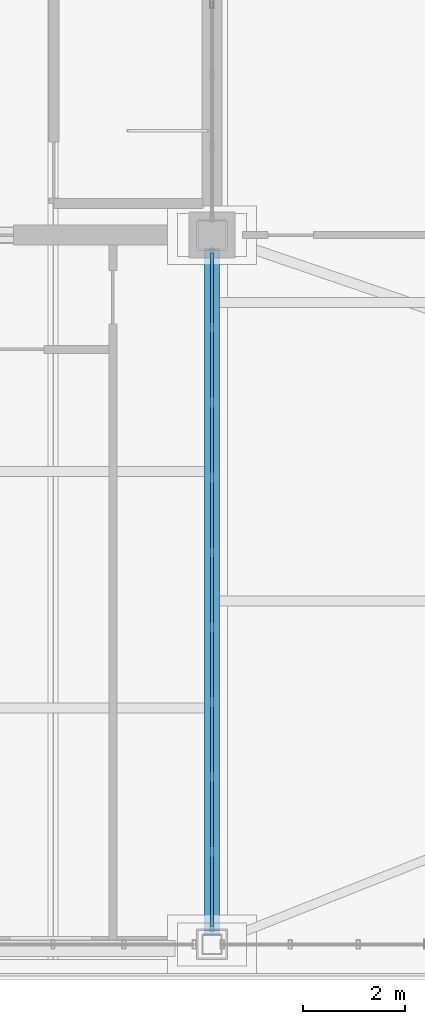
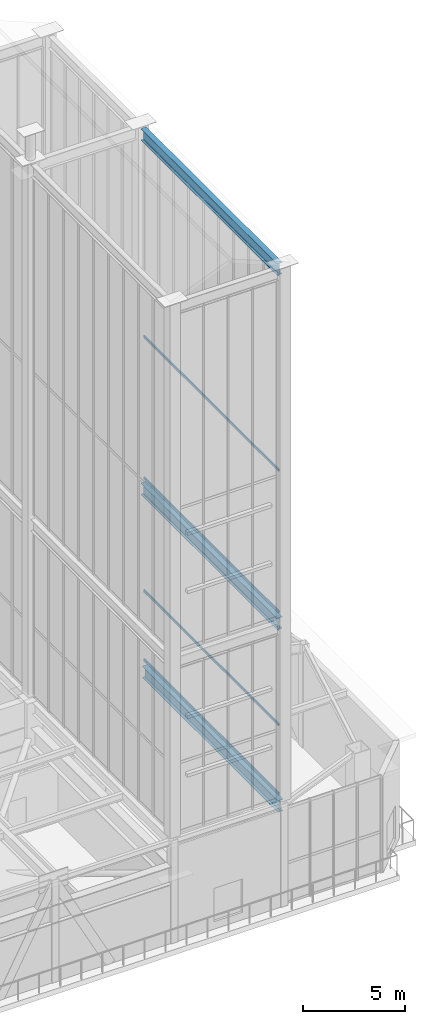
# One storey, part 60 of 135: 6 members, 3 beams, 2 elements without a shape of their own.
"""IFC4 building model written with IfcOpenShell, lengths in metres."""

from ifc_helpers import new_model, si_unit, direction, frame, origin, origin_2d, place, context, subcontext, project, spatial, hollow_rectangle, i_section, extrude, source, transform, mapped, material, layer, layer_set, material_profile, profile_set, type_object, element, aggregate, save


model = new_model("IFC4")

# Units and contexts
model_context = context("Model", 3, precision=1e-05, world=origin(), true_north=direction((0.0, 1.0)))
body_context = subcontext(model_context, "Body", "Model", "MODEL_VIEW")
ifc_project = project(units=[si_unit("LENGTHUNIT", "METRE"), si_unit("AREAUNIT", "SQUARE_METRE"), si_unit("VOLUMEUNIT", "CUBIC_METRE"), si_unit("PLANEANGLEUNIT", "RADIAN"), si_unit("MASSUNIT", "GRAM", prefix="KILO")], contexts=[model_context])

# Site, building, storey
site_placement = place(None, origin())
site = spatial("IfcSite", under=ifc_project, at=site_placement, CompositionType="ELEMENT")
building_placement = place(site_placement, origin())
building = spatial("IfcBuilding", under=site, at=building_placement, Name="Giltprow Tower", CompositionType="ELEMENT")
storey_placement = place(building_placement, frame((0.0, 0.0, 352.699951171875)))
storey = spatial("IfcBuildingStorey", under=building, at=storey_placement, Name="L92", CompositionType="ELEMENT", Elevation=352.699951171875)

# Beams
ifc_material_1 = material(Name="Structural steel Q355B", Category="steel")
ifc_material_profile_1 = material_profile(ifc_material_1, i_section(OverallWidth=0.300048828125, OverallDepth=0.699951171875, WebThickness=0.012939453125, FlangeThickness=0.02392578125, at=origin_2d()), Name="HN 700x300x13x24")
ifc_profile_set_1 = profile_set([ifc_material_profile_1], Name="Structural steel Q355B")
beam_type_1 = type_object("IfcBeamType", Name="BM-GIRD-HN700", PredefinedType="BEAM", material=ifc_profile_set_1)
shared_shape_1 = source(origin(), body_context, "Body", "SweptSolid", [
    extrude(i_section(OverallWidth=0.300048828125, OverallDepth=0.699951171875, WebThickness=0.012939453125, FlangeThickness=0.02392578125, at=origin_2d()), origin(), (0.0, 0.0, 1.0), 13.329833984375),
])
beam_placement = place(storey_placement, frame((50.550048828125, 23.68505859375, 5.81005859375), z_axis=(0.0, 1.0, 0.0), x_axis=(-1.0, 0.0, 0.0)))
element("IfcBeam", 1, at=beam_placement, inside=storey, type_object=beam_type_1, Name="L92 Primary Lease Girder S4", PredefinedType="BEAM", context=body_context, shape_type="MappedRepresentation", body=[
    mapped(shared_shape_1, transform((0.0, 0.0, 0.0), x_axis=(1.0, 0.0, 0.0), y_axis=(0.0, 1.0, 0.0), z_axis=(0.0, 0.0, 1.0), scale=1.0)),
])
ifc_material_profile_2 = material_profile(ifc_material_1, i_section(OverallWidth=0.300048828125, OverallDepth=0.699951171875, WebThickness=0.012939453125, FlangeThickness=0.02392578125, at=origin_2d()), Name="HN 700x300x13x24")
ifc_profile_set_2 = profile_set([ifc_material_profile_2], Name="Structural steel Q355B")
beam_type_2 = type_object("IfcBeamType", Name="BM-CRN-RING-HN700", PredefinedType="BEAM", material=ifc_profile_set_2)
shared_shape_2 = source(origin(), body_context, "Body", "SweptSolid", [
    extrude(i_section(OverallWidth=0.300048828125, OverallDepth=0.699951171875, WebThickness=0.012939453125, FlangeThickness=0.02392578125, at=origin_2d()), origin(), (0.0, 0.0, 1.0), 13.389892578125),
])
for number, where, z_axis, x_axis, name in (
    (2, (50.550048828125, 23.780029296875, 16.699951171875), (0.0, 1.0, 0.0), (-1.0, 0.0, 0.0), "Crown Frame East Ring Beam 1-2"),
    (3, (50.550048828125, 23.780029296875, 37.966064453125), (0.0, 1.0, 0.0), (-1.0, 0.0, 0.0), "Crown Frame East Ring Beam 2-2"),
):
    element("IfcBeam", number, at=place(storey_placement, frame(where, z_axis=z_axis, x_axis=x_axis)), inside=storey, type_object=beam_type_2, Name=name, PredefinedType="BEAM", context=body_context, shape_type="MappedRepresentation", body=[
        mapped(shared_shape_2, transform((0.0, 0.0, 0.0), x_axis=(1.0, 0.0, 0.0), y_axis=(0.0, 1.0, 0.0), z_axis=(0.0, 0.0, 1.0), scale=1.0)),
    ])

# Curtain wall, members
ifc_material_2 = material(Name="Anodized bronze", Category="metal")
ifc_layer = layer(ifc_material_2, 0.179931640625, Name="Anodized bronze")
ifc_layer_set = layer_set([ifc_layer], Name="Anodized bronze")
curtain_wall_type = type_object("IfcCurtainWallType", Name="CW-CROWN-LANTERN", PredefinedType="NOTDEFINED", material=ifc_layer_set)
curtain_wall_1_placement = place(storey_placement, origin())
curtain_wall_1 = element("IfcCurtainWall", 4, at=curtain_wall_1_placement, inside=storey, type_object=curtain_wall_type, Name="Crown East Lower Lantern Glazing 2", PredefinedType="NOTDEFINED")
ifc_material_profile_3 = material_profile(ifc_material_2, hollow_rectangle(XDim=0.06494140625, YDim=0.14990234375, WallThickness=0.006103515625, at=origin_2d()), Name="RHS 150x65x6")
ifc_profile_set_3 = profile_set([ifc_material_profile_3], Name="Anodized bronze")
member_type = type_object("IfcMemberType", Name="CW-TRANSOM-150x65", PredefinedType="USERDEFINED", material=ifc_profile_set_3)
shared_shape_3 = source(origin(), body_context, "Body", "SweptSolid", [
    extrude(hollow_rectangle(XDim=0.06494140625, YDim=0.14990234375, WallThickness=0.006103515625, at=origin_2d()), origin(), (0.0, 0.0, 1.0), 13.25),
])
member_1_placement = place(storey_placement, frame((50.550048828125, 23.85009765625, 6.43994140625), z_axis=(0.0, 1.0, 0.0), x_axis=(-1.0, 0.0, 0.0)))
member_1 = element("IfcMember", 5, at=member_1_placement, type_object=member_type, Name="Crown East Lower Lantern Glazing 2 Transom 1", ObjectType="TRANSOM", PredefinedType="USERDEFINED", context=body_context, shape_type="MappedRepresentation", body=[
    mapped(shared_shape_3, transform((0.0, 0.0, 0.0), x_axis=(1.0, 0.0, 0.0), y_axis=(0.0, 1.0, 0.0), z_axis=(0.0, 0.0, 1.0), scale=1.0)),
])
member_2_placement = place(storey_placement, frame((50.550048828125, 23.85009765625, 10.5791015625), z_axis=(0.0, 1.0, 0.0), x_axis=(-1.0, 0.0, 0.0)))
member_2 = element("IfcMember", 6, at=member_2_placement, type_object=member_type, Name="Crown East Lower Lantern Glazing 2 Transom 2", ObjectType="TRANSOM", PredefinedType="USERDEFINED", context=body_context, shape_type="MappedRepresentation", body=[
    mapped(shared_shape_3, transform((0.0, 0.0, 0.0), x_axis=(1.0, 0.0, 0.0), y_axis=(0.0, 1.0, 0.0), z_axis=(0.0, 0.0, 1.0), scale=1.0)),
])
member_3_placement = place(storey_placement, frame((50.550048828125, 23.85009765625, 16.31005859375), z_axis=(0.0, 1.0, 0.0), x_axis=(-1.0, 0.0, 0.0)))
member_3 = element("IfcMember", 7, at=member_3_placement, type_object=member_type, Name="Crown East Lower Lantern Glazing 2 Transom 3", ObjectType="TRANSOM", PredefinedType="USERDEFINED", context=body_context, shape_type="MappedRepresentation", body=[
    mapped(shared_shape_3, transform((0.0, 0.0, 0.0), x_axis=(1.0, 0.0, 0.0), y_axis=(0.0, 1.0, 0.0), z_axis=(0.0, 0.0, 1.0), scale=1.0)),
])
aggregate(curtain_wall_1, [member_1, member_2, member_3])

curtain_wall_2_placement = place(storey_placement, origin())
curtain_wall_2 = element("IfcCurtainWall", 8, at=curtain_wall_2_placement, inside=storey, type_object=curtain_wall_type, Name="Crown East Upper Lantern Glazing 2", PredefinedType="NOTDEFINED")
member_4_placement = place(storey_placement, frame((50.550048828125, 23.85009765625, 17.340087890625), z_axis=(0.0, 1.0, 0.0), x_axis=(-1.0, 0.0, 0.0)))
member_4 = element("IfcMember", 9, at=member_4_placement, type_object=member_type, Name="Crown East Upper Lantern Glazing 2 Transom 1", ObjectType="TRANSOM", PredefinedType="USERDEFINED", context=body_context, shape_type="MappedRepresentation", body=[
    mapped(shared_shape_3, transform((0.0, 0.0, 0.0), x_axis=(1.0, 0.0, 0.0), y_axis=(0.0, 1.0, 0.0), z_axis=(0.0, 0.0, 1.0), scale=1.0)),
])
member_5_placement = place(storey_placement, frame((50.550048828125, 23.85009765625, 25.8330078125), z_axis=(0.0, 1.0, 0.0), x_axis=(-1.0, 0.0, 0.0)))
member_5 = element("IfcMember", 10, at=member_5_placement, type_object=member_type, Name="Crown East Upper Lantern Glazing 2 Transom 2", ObjectType="TRANSOM", PredefinedType="USERDEFINED", context=body_context, shape_type="MappedRepresentation", body=[
    mapped(shared_shape_3, transform((0.0, 0.0, 0.0), x_axis=(1.0, 0.0, 0.0), y_axis=(0.0, 1.0, 0.0), z_axis=(0.0, 0.0, 1.0), scale=1.0)),
])
member_6_placement = place(storey_placement, frame((50.550048828125, 23.85009765625, 37.575927734375), z_axis=(0.0, 1.0, 0.0), x_axis=(-1.0, 0.0, 0.0)))
member_6 = element("IfcMember", 11, at=member_6_placement, type_object=member_type, Name="Crown East Upper Lantern Glazing 2 Transom 3", ObjectType="TRANSOM", PredefinedType="USERDEFINED", context=body_context, shape_type="MappedRepresentation", body=[
    mapped(shared_shape_3, transform((0.0, 0.0, 0.0), x_axis=(1.0, 0.0, 0.0), y_axis=(0.0, 1.0, 0.0), z_axis=(0.0, 0.0, 1.0), scale=1.0)),
])
aggregate(curtain_wall_2, [member_4, member_5, member_6])

save(model, "model.ifc")
